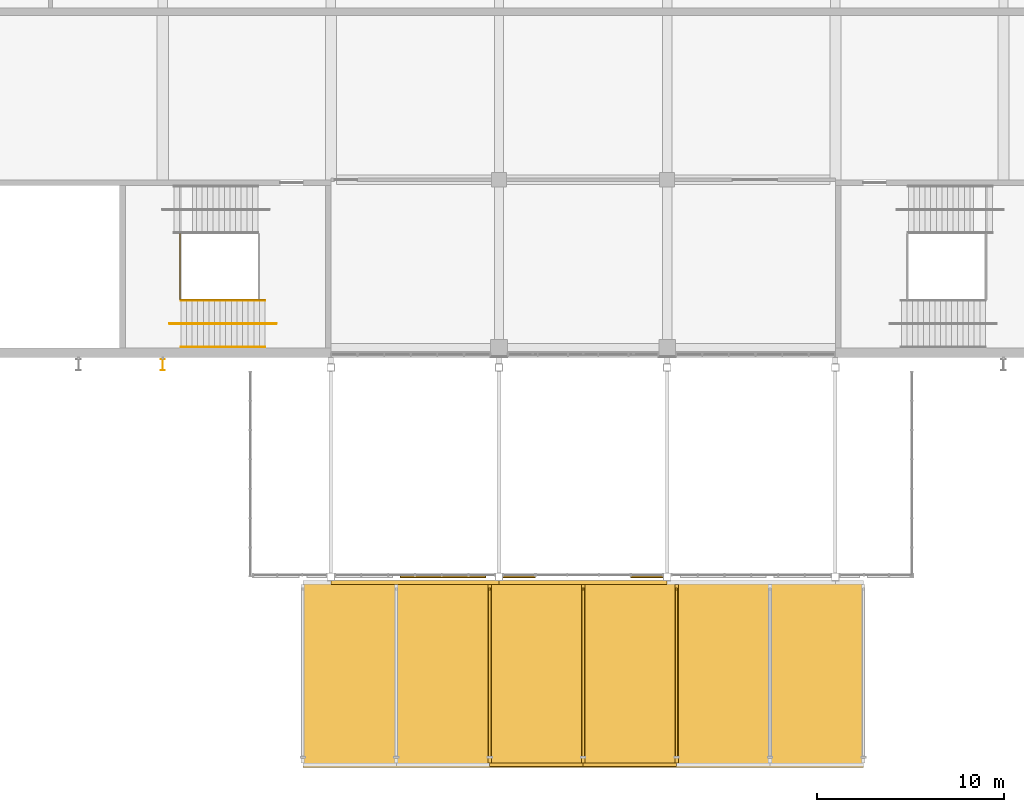
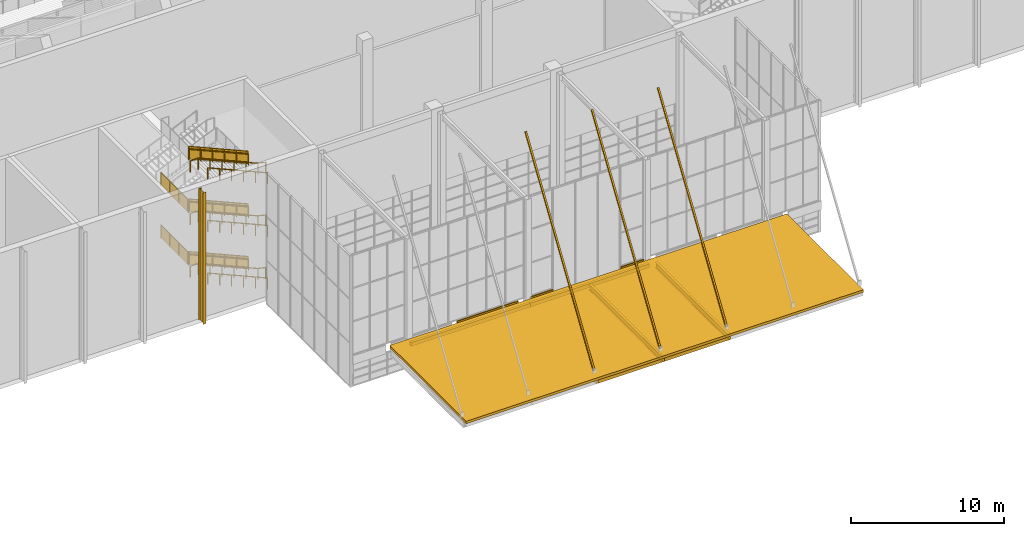
# One storey, part 141 of 182: 14 railings, 12 shading devices, 3 coverings.
"""IFC4 building model written with IfcOpenShell, lengths in metres."""

from ifc_helpers import new_model, si_unit, direction, frame, origin, origin_2d, place, context, subcontext, project, spatial, polyline, rectangle, hollow_rectangle, circle, i_section, outline, extrude, material, layer, layer_set, material_profile, profile_set, type_object, element, save


model = new_model("IFC4")

# Units and contexts
model_context = context("Model", 3, precision=1e-05, world=origin(), true_north=direction((0.0, 1.0)))
body_context = subcontext(model_context, "Body", "Model", "MODEL_VIEW")
ifc_project = project(units=[si_unit("LENGTHUNIT", "METRE"), si_unit("AREAUNIT", "SQUARE_METRE"), si_unit("VOLUMEUNIT", "CUBIC_METRE"), si_unit("PLANEANGLEUNIT", "RADIAN"), si_unit("MASSUNIT", "GRAM", prefix="KILO")], contexts=[model_context])

# Site, building, storey
site_placement = place(None, origin())
site = spatial("IfcSite", under=ifc_project, at=site_placement, CompositionType="ELEMENT")
building_placement = place(site_placement, origin())
building = spatial("IfcBuilding", under=site, at=building_placement, Name="Silverbay Arena", CompositionType="ELEMENT")
storey_placement = place(building_placement, frame((0.0, 0.0, 11.5)))
storey = spatial("IfcBuildingStorey", under=building, at=storey_placement, Name="L02", CompositionType="ELEMENT", Elevation=11.5)

# Coverings
ifc_material_1 = material(Name="Aluminium composite cladding", Category="aluminium")
ifc_layer = layer(ifc_material_1, 0.10009765625)
ifc_layer_set = layer_set([ifc_layer], Name="Aluminium composite cladding")
covering_type = type_object("IfcCoveringType", Name="Canopy band cladding 100", PredefinedType="CLADDING", material=ifc_layer_set)
covering_1_placement = place(storey_placement, frame((0.0, 0.0, 1.800048828125)))
element("IfcCovering", 1, at=covering_1_placement, inside=storey, type_object=covering_type, Name="Canopy band cladding", PredefinedType="CLADDING", context=body_context, shape_type="SweptSolid", body=[
    extrude(outline(polyline([(120.699951171875, 5.699951171875), (125.300048828125, 5.699951171875), (125.300048828125, 5.800048828125), (120.699951171875, 5.800048828125), (120.699951171875, 5.699951171875)])), origin(), (0.0, 0.0, 1.0), 0.699951171875),
])
covering_2_placement = place(storey_placement, frame((0.0, 0.0, 1.800048828125)))
element("IfcCovering", 2, at=covering_2_placement, inside=storey, type_object=covering_type, Name="Canopy band cladding", PredefinedType="CLADDING", context=body_context, shape_type="SweptSolid", body=[
    extrude(outline(polyline([(126.199951171875, 5.699951171875), (127.949951171875, 5.699951171875), (127.949951171875, 5.800048828125), (126.199951171875, 5.800048828125), (126.199951171875, 5.699951171875)])), origin(), (0.0, 0.0, 1.0), 0.699951171875),
])
covering_3_placement = place(storey_placement, frame((0.0, 0.0, 1.800048828125)))
element("IfcCovering", 3, at=covering_3_placement, inside=storey, type_object=covering_type, Name="Canopy band cladding", PredefinedType="CLADDING", context=body_context, shape_type="SweptSolid", body=[
    extrude(outline(polyline([(133.050048828125, 5.699951171875), (134.800048828125, 5.699951171875), (134.800048828125, 5.800048828125), (133.050048828125, 5.800048828125), (133.050048828125, 5.699951171875)])), origin(), (0.0, 0.0, 1.0), 0.699951171875),
])

# Shading devices
ifc_material_2 = material(Name="Steel S355", Category="steel")
ifc_material_profile_1 = material_profile(ifc_material_2, i_section(OverallWidth=0.18994140625, OverallDepth=0.453369140625, WebThickness=0.008544921875, FlangeThickness=0.0126953125, at=origin_2d()), Name="UB 457x191x67")
ifc_profile_set_1 = profile_set([ifc_material_profile_1], Name="Steel S355")
shading_device_type_1 = type_object("IfcShadingDeviceType", Name="Canopy beam UB 457x191x67", PredefinedType="USERDEFINED", material=ifc_profile_set_1)
for number, where, z_axis, x_axis, name in (
    (4, (125.5, 5.35009765625, 2.0732421875), (0.0, -1.0, 0.0), (1.0, 0.0, 0.0), "South entrance hall S1 canopy beam 3"),
    (5, (130.5, 5.35009765625, 2.0732421875), (0.0, -1.0, 0.0), (1.0, 0.0, 0.0), "South entrance hall S1 canopy beam 4"),
    (6, (135.5, 5.35009765625, 2.0732421875), (0.0, -1.0, 0.0), (1.0, 0.0, 0.0), "South entrance hall S1 canopy beam 5"),
):
    element("IfcShadingDevice", number, at=place(storey_placement, frame(where, z_axis=z_axis, x_axis=x_axis)), inside=storey, type_object=shading_device_type_1, Name=name, ObjectType="CANOPY FRAME", PredefinedType="USERDEFINED", context=body_context, shape_type="SweptSolid", body=[
        extrude(i_section(OverallWidth=0.18994140625, OverallDepth=0.453369140625, WebThickness=0.008544921875, FlangeThickness=0.0126953125, at=origin_2d()), origin(), (0.0, 0.0, 1.0), 9.550048828125),
    ])
ifc_material_3 = material(Name="Steel S355", Category="steel")
ifc_material_profile_2 = material_profile(ifc_material_3, hollow_rectangle(XDim=0.199951171875, YDim=0.300048828125, WallThickness=0.008056640625, at=origin_2d()), Name="RHS 300x200x8")
ifc_profile_set_2 = profile_set([ifc_material_profile_2], Name="Steel S355")
shading_device_type_2 = type_object("IfcShadingDeviceType", Name="Canopy edge beam RHS 300x200x8", PredefinedType="USERDEFINED", material=ifc_profile_set_2)
for number, where, z_axis, x_axis, name in (
    (7, (125.5, -4.300048828125, 2.14990234375), (1.0, 0.0, 0.0), (0.0, 1.0, 0.0), "South entrance hall S1 canopy edge beam 3"),
    (8, (130.5, -4.300048828125, 2.14990234375), (1.0, 0.0, 0.0), (0.0, 1.0, 0.0), "South entrance hall S1 canopy edge beam 4"),
):
    element("IfcShadingDevice", number, at=place(storey_placement, frame(where, z_axis=z_axis, x_axis=x_axis)), inside=storey, type_object=shading_device_type_2, Name=name, ObjectType="CANOPY FRAME", PredefinedType="USERDEFINED", context=body_context, shape_type="SweptSolid", body=[
        extrude(hollow_rectangle(XDim=0.199951171875, YDim=0.300048828125, WallThickness=0.008056640625, at=origin_2d()), origin(), (0.0, 0.0, 1.0), 5.0),
    ])
ifc_material_4 = material(Name="Steel S355", Category="steel")
shading_device_type_3 = type_object("IfcShadingDeviceType", Name="Canopy plate 200", PredefinedType="AWNING", material=ifc_material_4)
shading_device_1_placement = place(storey_placement, frame((130.5, 0.550048828125, 2.2998046875), z_axis=(0.0, 0.0, 1.0), x_axis=(1.0, 0.0, 0.0)))
element("IfcShadingDevice", 9, at=shading_device_1_placement, inside=storey, type_object=shading_device_type_3, Name="South entrance hall S1 canopy", PredefinedType="AWNING", context=body_context, shape_type="SweptSolid", body=[
    extrude(rectangle(XDim=30.0, YDim=10.0, at=origin_2d()), origin(), (0.0, 0.0, 1.0), 0.199951171875),
])
ifc_material_5 = material(Name="Steel S355", Category="steel")
ifc_material_profile_3 = material_profile(ifc_material_5, hollow_rectangle(XDim=0.199951171875, YDim=0.300048828125, WallThickness=0.008056640625, at=origin_2d()), Name="RHS 300x200x8")
ifc_profile_set_3 = profile_set([ifc_material_profile_3], Name="Steel S355")
shading_device_type_4 = type_object("IfcShadingDeviceType", Name="Canopy rail RHS 300x200x8", PredefinedType="USERDEFINED", material=ifc_profile_set_3)
for number, where, z_axis, x_axis, name in (
    (10, (117.0, 5.449951171875, 2.14990234375), (1.0, 0.0, 0.0), (0.0, 1.0, 0.0), "South entrance hall S1 canopy rail 2"),
    (11, (126.0, 5.449951171875, 2.14990234375), (1.0, 0.0, 0.0), (0.0, 1.0, 0.0), "South entrance hall S1 canopy rail 3"),
):
    element("IfcShadingDevice", number, at=place(storey_placement, frame(where, z_axis=z_axis, x_axis=x_axis)), inside=storey, type_object=shading_device_type_4, Name=name, ObjectType="CANOPY FRAME", PredefinedType="USERDEFINED", context=body_context, shape_type="SweptSolid", body=[
        extrude(hollow_rectangle(XDim=0.199951171875, YDim=0.300048828125, WallThickness=0.008056640625, at=origin_2d()), origin(), (0.0, 0.0, 1.0), 9.0),
    ])
ifc_material_6 = material(Name="Steel S355", Category="steel")
ifc_material_profile_4 = material_profile(ifc_material_6, hollow_rectangle(XDim=0.1201171875, YDim=0.1201171875, WallThickness=0.00634765625, at=origin_2d()), Name="SHS 120x120x6.3")
ifc_profile_set_4 = profile_set([ifc_material_profile_4], Name="Steel S355")
shading_device_type_5 = type_object("IfcShadingDeviceType", Name="Canopy tie SHS 120x120x6.3", PredefinedType="USERDEFINED", material=ifc_profile_set_4)
for number, where, z_axis, x_axis, name in (
    (12, (125.5, 5.10009765625, 16.35009765625), (0.0, -0.54832609761, -0.83626460566), (1.0, 0.0, 0.0), "South entrance hall S1 canopy tie 3"),
    (13, (130.5, 5.10009765625, 16.35009765625), (0.0, -0.54832609761, -0.83626460566), (1.0, 0.0, 0.0), "South entrance hall S1 canopy tie 4"),
    (14, (135.5, 5.10009765625, 16.35009765625), (0.0, -0.54832609761, -0.83626460566), (1.0, 0.0, 0.0), "South entrance hall S1 canopy tie 5"),
):
    element("IfcShadingDevice", number, at=place(storey_placement, frame(where, z_axis=z_axis, x_axis=x_axis)), inside=storey, type_object=shading_device_type_5, Name=name, ObjectType="CANOPY FRAME", PredefinedType="USERDEFINED", context=body_context, shape_type="SweptSolid", body=[
        extrude(hollow_rectangle(XDim=0.1201171875, YDim=0.1201171875, WallThickness=0.00634765625, at=origin_2d()), origin(), (0.0, 0.0, 1.0), 16.32275390625),
    ])

# Railings
ifc_material_7 = material(Name="Stainless steel", Category="steel")
railing_type_1 = type_object("IfcRailingType", Name="Stair guard 1100", PredefinedType="GUARDRAIL", material=ifc_material_7)
railing_1_placement = place(storey_placement, frame((113.47412109375, 20.574951171875, 0.13134765625)))
element("IfcRailing", 15, at=railing_1_placement, inside=storey, type_object=railing_type_1, Name="Stair ST-S2 L02 to L03 flight 1 guard left", PredefinedType="GUARDRAIL", context=body_context, shape_type="SweptSolid", body=[
    extrude(circle(Radius=0.02392578125, at=origin_2d()), frame((0.0, 0.0, 1.076171875), z_axis=(-0.916157334902, 0.0, 0.40081883402), x_axis=(0.0, -1.0, 0.0)), (0.0, 0.0, 1.0), 4.911865234375),
    extrude(outline(polyline([(-0.008056640625, 0.04638671875), (0.907958984375, 0.447265625), (0.907958984375, 1.4501953125), (-0.008056640625, 1.049560546875), (-0.008056640625, 0.04638671875)])), frame((0.0, -0.0029296875, 0.0), z_axis=(0.0, 1.0, 0.0), x_axis=(-1.0, 0.0, 0.0)), (0.0, 0.0, 1.0), 0.006103515625),
    extrude(outline(polyline([(-0.008056640625, 0.440185546875), (0.907958984375, 0.841064453125), (0.907958984375, 1.843994140625), (-0.008056640625, 1.443359375), (-0.008056640625, 0.440185546875)])), frame((-0.89990234375, -0.0029296875, 0.0), z_axis=(0.0, 1.0, 0.0), x_axis=(-1.0, 0.0, 0.0)), (0.0, 0.0, 1.0), 0.006103515625),
    extrude(outline(polyline([(-0.008056640625, 0.833984375), (0.907958984375, 1.23486328125), (0.907958984375, 2.23779296875), (-0.008056640625, 1.8369140625), (-0.008056640625, 0.833984375)])), frame((-1.800048828125, -0.0029296875, 0.0), z_axis=(0.0, 1.0, 0.0), x_axis=(-1.0, 0.0, 0.0)), (0.0, 0.0, 1.0), 0.006103515625),
    extrude(outline(polyline([(-0.008056640625, 1.227783203125), (0.907958984375, 1.62841796875), (0.907958984375, 2.631591796875), (-0.008056640625, 2.230712890625), (-0.008056640625, 1.227783203125)])), frame((-2.699951171875, -0.0029296875, 0.0), z_axis=(0.0, 1.0, 0.0), x_axis=(-1.0, 0.0, 0.0)), (0.0, 0.0, 1.0), 0.006103515625),
    extrude(outline(polyline([(-0.008056640625, 1.62158203125), (0.907958984375, 2.022216796875), (0.907958984375, 3.025146484375), (-0.008056640625, 2.62451171875), (-0.008056640625, 1.62158203125)])), frame((-3.60009765625, -0.0029296875, 0.0), z_axis=(0.0, 1.0, 0.0), x_axis=(-1.0, 0.0, 0.0)), (0.0, 0.0, 1.0), 0.006103515625),
    extrude(circle(Radius=0.02099609375, at=origin_2d()), origin(), (0.0, 0.0, 1.0), 1.052001953125),
    extrude(circle(Radius=0.02099609375, at=origin_2d()), frame((-0.89990234375, 0.0, 0.393798828125)), (0.0, 0.0, 1.0), 1.052001953125),
    extrude(circle(Radius=0.02099609375, at=origin_2d()), frame((-1.800048828125, 0.0, 0.78759765625)), (0.0, 0.0, 1.0), 1.052001953125),
    extrude(circle(Radius=0.02099609375, at=origin_2d()), frame((-2.699951171875, 0.0, 1.18115234375)), (0.0, 0.0, 1.0), 1.052001953125),
    extrude(circle(Radius=0.02099609375, at=origin_2d()), frame((-3.60009765625, 0.0, 1.574951171875)), (0.0, 0.0, 1.0), 1.052001953125),
    extrude(circle(Radius=0.02099609375, at=origin_2d()), frame((-4.5, 0.0, 1.96875)), (0.0, 0.0, 1.0), 1.052001953125),
])
railing_2_placement = place(storey_placement, frame((113.47412109375, 20.574951171875, 4.331298828125)))
element("IfcRailing", 16, at=railing_2_placement, inside=storey, type_object=railing_type_1, Name="Stair ST-S2 L02 to L03 flight 3 guard left", PredefinedType="GUARDRAIL", context=body_context, shape_type="SweptSolid", body=[
    extrude(circle(Radius=0.02392578125, at=origin_2d()), frame((0.0, 0.0, 1.076171875), z_axis=(-0.916157334902, 0.0, 0.40081883402), x_axis=(0.0, -1.0, 0.0)), (0.0, 0.0, 1.0), 4.911865234375),
    extrude(outline(polyline([(-0.008056640625, 0.04638671875), (0.907958984375, 0.447265625), (0.907958984375, 1.4501953125), (-0.008056640625, 1.049560546875), (-0.008056640625, 0.04638671875)])), frame((0.0, -0.0029296875, 0.0), z_axis=(0.0, 1.0, 0.0), x_axis=(-1.0, 0.0, 0.0)), (0.0, 0.0, 1.0), 0.006103515625),
    extrude(outline(polyline([(-0.008056640625, 0.440185546875), (0.907958984375, 0.841064453125), (0.907958984375, 1.843994140625), (-0.008056640625, 1.443359375), (-0.008056640625, 0.440185546875)])), frame((-0.89990234375, -0.0029296875, 0.0), z_axis=(0.0, 1.0, 0.0), x_axis=(-1.0, 0.0, 0.0)), (0.0, 0.0, 1.0), 0.006103515625),
    extrude(outline(polyline([(-0.008056640625, 0.833984375), (0.907958984375, 1.23486328125), (0.907958984375, 2.23779296875), (-0.008056640625, 1.8369140625), (-0.008056640625, 0.833984375)])), frame((-1.800048828125, -0.0029296875, 0.0), z_axis=(0.0, 1.0, 0.0), x_axis=(-1.0, 0.0, 0.0)), (0.0, 0.0, 1.0), 0.006103515625),
    extrude(outline(polyline([(-0.008056640625, 1.227783203125), (0.907958984375, 1.62841796875), (0.907958984375, 2.631591796875), (-0.008056640625, 2.230712890625), (-0.008056640625, 1.227783203125)])), frame((-2.699951171875, -0.0029296875, 0.0), z_axis=(0.0, 1.0, 0.0), x_axis=(-1.0, 0.0, 0.0)), (0.0, 0.0, 1.0), 0.006103515625),
    extrude(outline(polyline([(-0.008056640625, 1.62158203125), (0.907958984375, 2.022216796875), (0.907958984375, 3.025146484375), (-0.008056640625, 2.62451171875), (-0.008056640625, 1.62158203125)])), frame((-3.60009765625, -0.0029296875, 0.0), z_axis=(0.0, 1.0, 0.0), x_axis=(-1.0, 0.0, 0.0)), (0.0, 0.0, 1.0), 0.006103515625),
    extrude(circle(Radius=0.02099609375, at=origin_2d()), origin(), (0.0, 0.0, 1.0), 1.052001953125),
    extrude(circle(Radius=0.02099609375, at=origin_2d()), frame((-0.89990234375, 0.0, 0.393798828125)), (0.0, 0.0, 1.0), 1.052001953125),
    extrude(circle(Radius=0.02099609375, at=origin_2d()), frame((-1.800048828125, 0.0, 0.78759765625)), (0.0, 0.0, 1.0), 1.052001953125),
    extrude(circle(Radius=0.02099609375, at=origin_2d()), frame((-2.699951171875, 0.0, 1.18115234375)), (0.0, 0.0, 1.0), 1.052001953125),
    extrude(circle(Radius=0.02099609375, at=origin_2d()), frame((-3.60009765625, 0.0, 1.574951171875)), (0.0, 0.0, 1.0), 1.052001953125),
    extrude(circle(Radius=0.02099609375, at=origin_2d()), frame((-4.5, 0.0, 1.96875)), (0.0, 0.0, 1.0), 1.052001953125),
])
railing_3_placement = place(storey_placement, frame((113.47412109375, 20.574951171875, 8.53125)))
element("IfcRailing", 17, at=railing_3_placement, inside=storey, type_object=railing_type_1, Name="Stair ST-S2 L02 to L03 flight 5 guard left", PredefinedType="GUARDRAIL", context=body_context, shape_type="SweptSolid", body=[
    extrude(circle(Radius=0.02392578125, at=origin_2d()), frame((0.0, 0.0, 1.076171875), z_axis=(-0.916157334902, 0.0, 0.40081883402), x_axis=(0.0, -1.0, 0.0)), (0.0, 0.0, 1.0), 4.911865234375),
    extrude(outline(polyline([(-0.008056640625, 0.04638671875), (0.907958984375, 0.447265625), (0.907958984375, 1.4501953125), (-0.008056640625, 1.049560546875), (-0.008056640625, 0.04638671875)])), frame((0.0, -0.0029296875, 0.0), z_axis=(0.0, 1.0, 0.0), x_axis=(-1.0, 0.0, 0.0)), (0.0, 0.0, 1.0), 0.006103515625),
    extrude(outline(polyline([(-0.008056640625, 0.440185546875), (0.907958984375, 0.841064453125), (0.907958984375, 1.843994140625), (-0.008056640625, 1.443359375), (-0.008056640625, 0.440185546875)])), frame((-0.89990234375, -0.0029296875, 0.0), z_axis=(0.0, 1.0, 0.0), x_axis=(-1.0, 0.0, 0.0)), (0.0, 0.0, 1.0), 0.006103515625),
    extrude(outline(polyline([(-0.008056640625, 0.833984375), (0.907958984375, 1.23486328125), (0.907958984375, 2.23779296875), (-0.008056640625, 1.8369140625), (-0.008056640625, 0.833984375)])), frame((-1.800048828125, -0.0029296875, 0.0), z_axis=(0.0, 1.0, 0.0), x_axis=(-1.0, 0.0, 0.0)), (0.0, 0.0, 1.0), 0.006103515625),
    extrude(outline(polyline([(-0.008056640625, 1.227783203125), (0.907958984375, 1.62841796875), (0.907958984375, 2.631591796875), (-0.008056640625, 2.230712890625), (-0.008056640625, 1.227783203125)])), frame((-2.699951171875, -0.0029296875, 0.0), z_axis=(0.0, 1.0, 0.0), x_axis=(-1.0, 0.0, 0.0)), (0.0, 0.0, 1.0), 0.006103515625),
    extrude(outline(polyline([(-0.008056640625, 1.62158203125), (0.907958984375, 2.022216796875), (0.907958984375, 3.025146484375), (-0.008056640625, 2.62451171875), (-0.008056640625, 1.62158203125)])), frame((-3.60009765625, -0.0029296875, 0.0), z_axis=(0.0, 1.0, 0.0), x_axis=(-1.0, 0.0, 0.0)), (0.0, 0.0, 1.0), 0.006103515625),
    extrude(circle(Radius=0.02099609375, at=origin_2d()), origin(), (0.0, 0.0, 1.0), 1.052001953125),
    extrude(circle(Radius=0.02099609375, at=origin_2d()), frame((-0.89990234375, 0.0, 0.393798828125)), (0.0, 0.0, 1.0), 1.052001953125),
    extrude(circle(Radius=0.02099609375, at=origin_2d()), frame((-1.800048828125, 0.0, 0.78759765625)), (0.0, 0.0, 1.0), 1.052001953125),
    extrude(circle(Radius=0.02099609375, at=origin_2d()), frame((-2.699951171875, 0.0, 1.18115234375)), (0.0, 0.0, 1.0), 1.052001953125),
    extrude(circle(Radius=0.02099609375, at=origin_2d()), frame((-3.60009765625, 0.0, 1.574951171875)), (0.0, 0.0, 1.0), 1.052001953125),
    extrude(circle(Radius=0.02099609375, at=origin_2d()), frame((-4.5, 0.0, 1.96875)), (0.0, 0.0, 1.0), 1.052001953125),
])
for number, where, name in (
    (18, (108.92431640625, 24.10009765625, 2.10009765625), "Stair ST-S2 L02 to L03 landing 1 guard"),
    (19, (108.92431640625, 24.10009765625, 6.300048828125), "Stair ST-S2 L02 to L03 landing 3 guard"),
):
    element("IfcRailing", number, at=place(storey_placement, frame(where)), inside=storey, type_object=railing_type_1, Name=name, PredefinedType="GUARDRAIL", context=body_context, shape_type="SweptSolid", body=[
        extrude(circle(Radius=0.02392578125, at=origin_2d()), frame((0.0, 0.0, 1.076171875), z_axis=(0.0, -1.0, 0.0), x_axis=(1.0, 0.0, 0.0)), (0.0, 0.0, 1.0), 3.5),
        extrude(outline(polyline([(-0.008056640625, 0.050048828125), (1.174560546875, 0.050048828125), (1.174560546875, 1.052978515625), (-0.008056640625, 1.052978515625), (-0.008056640625, 0.050048828125)])), frame((0.0029296875, 0.0, 0.0), z_axis=(-1.0, 0.0, 0.0), x_axis=(0.0, -1.0, 0.0)), (0.0, 0.0, 1.0), 0.006103515625),
        extrude(outline(polyline([(-0.008056640625, 0.050048828125), (1.174560546875, 0.050048828125), (1.174560546875, 1.052978515625), (-0.008056640625, 1.052978515625), (-0.008056640625, 0.050048828125)])), frame((0.0029296875, -1.166748046875, 0.0), z_axis=(-1.0, 0.0, 0.0), x_axis=(0.0, -1.0, 0.0)), (0.0, 0.0, 1.0), 0.006103515625),
        extrude(outline(polyline([(-0.008056640625, 0.050048828125), (1.174560546875, 0.050048828125), (1.174560546875, 1.052978515625), (-0.008056640625, 1.052978515625), (-0.008056640625, 0.050048828125)])), frame((0.0029296875, -2.333251953125, 0.0), z_axis=(-1.0, 0.0, 0.0), x_axis=(0.0, -1.0, 0.0)), (0.0, 0.0, 1.0), 0.006103515625),
        extrude(circle(Radius=0.02099609375, at=origin_2d()), origin(), (0.0, 0.0, 1.0), 1.052001953125),
        extrude(circle(Radius=0.02099609375, at=origin_2d()), frame((0.0, -1.166748046875, 0.0)), (0.0, 0.0, 1.0), 1.052001953125),
        extrude(circle(Radius=0.02099609375, at=origin_2d()), frame((0.0, -2.333251953125, 0.0)), (0.0, 0.0, 1.0), 1.052001953125),
        extrude(circle(Radius=0.02099609375, at=origin_2d()), frame((0.0, -3.5, 0.0)), (0.0, 0.0, 1.0), 1.052001953125),
    ])
ifc_material_8 = material(Name="Stainless steel", Category="steel")
railing_type_2 = type_object("IfcRailingType", Name="Stair handrail 900", PredefinedType="HANDRAIL", material=ifc_material_8)
for number, where, name in (
    (20, (113.47412109375, 20.535888671875, 0.13134765625), "Stair ST-S2 L02 to L03 flight 1 handrail left"),
    (21, (113.47412109375, 18.050048828125, 0.13134765625), "Stair ST-S2 L02 to L03 flight 1 handrail right"),
):
    element("IfcRailing", number, at=place(storey_placement, frame(where)), inside=storey, type_object=railing_type_2, Name=name, PredefinedType="HANDRAIL", context=body_context, shape_type="SweptSolid", body=[
        extrude(circle(Radius=0.02392578125, at=origin_2d()), frame((0.0, 0.0, 0.8759765625), z_axis=(-0.916157334902, 0.0, 0.40081883402), x_axis=(0.0, -1.0, 0.0)), (0.0, 0.0, 1.0), 4.911865234375),
        extrude(circle(Radius=0.02099609375, at=origin_2d()), origin(), (0.0, 0.0, 1.0), 0.851806640625),
        extrude(circle(Radius=0.02099609375, at=origin_2d()), frame((-0.89990234375, 0.0, 0.393798828125)), (0.0, 0.0, 1.0), 0.851806640625),
        extrude(circle(Radius=0.02099609375, at=origin_2d()), frame((-1.800048828125, 0.0, 0.78759765625)), (0.0, 0.0, 1.0), 0.851806640625),
        extrude(circle(Radius=0.02099609375, at=origin_2d()), frame((-2.699951171875, 0.0, 1.18115234375)), (0.0, 0.0, 1.0), 0.851806640625),
        extrude(circle(Radius=0.02099609375, at=origin_2d()), frame((-3.60009765625, 0.0, 1.574951171875)), (0.0, 0.0, 1.0), 0.851806640625),
        extrude(circle(Radius=0.02099609375, at=origin_2d()), frame((-4.5, 0.0, 1.96875)), (0.0, 0.0, 1.0), 0.851806640625),
    ])
railing_4_placement = place(storey_placement, frame((114.07421875, 19.300048828125, 0.0)))
element("IfcRailing", 22, at=railing_4_placement, inside=storey, type_object=railing_type_2, Name="Stair ST-S2 L02 to L03 flight 1 central handrail", PredefinedType="HANDRAIL", context=body_context, shape_type="SweptSolid", body=[
    extrude(circle(Radius=0.02392578125, at=origin_2d()), frame((0.0, 0.0, 0.8759765625), z_axis=(-0.976874083041, 0.0, 0.213815401414), x_axis=(0.0, -1.0, 0.0)), (0.0, 0.0, 1.0), 0.6142578125),
    extrude(circle(Radius=0.02392578125, at=origin_2d()), frame((-0.60009765625, 0.0, 1.00732421875), z_axis=(-0.916157334902, 0.0, 0.40081883402), x_axis=(0.0, -1.0, 0.0)), (0.0, 0.0, 1.0), 4.911865234375),
    extrude(circle(Radius=0.02392578125, at=origin_2d()), frame((-5.10009765625, 0.0, 2.97607421875), z_axis=(-1.0, 0.0, 0.0), x_axis=(0.0, -1.0, 0.0)), (0.0, 0.0, 1.0), 0.599853515625),
    extrude(circle(Radius=0.02099609375, at=origin_2d()), origin(), (0.0, 0.0, 1.0), 0.851806640625),
    extrude(circle(Radius=0.02099609375, at=origin_2d()), frame((-0.60009765625, 0.0, 0.13134765625)), (0.0, 0.0, 1.0), 0.851806640625),
    extrude(circle(Radius=0.02099609375, at=origin_2d()), frame((-1.5, 0.0, 0.525146484375)), (0.0, 0.0, 1.0), 0.851806640625),
    extrude(circle(Radius=0.02099609375, at=origin_2d()), frame((-2.400146484375, 0.0, 0.9189453125)), (0.0, 0.0, 1.0), 0.851806640625),
    extrude(circle(Radius=0.02099609375, at=origin_2d()), frame((-3.300048828125, 0.0, 1.3125)), (0.0, 0.0, 1.0), 0.851806640625),
    extrude(circle(Radius=0.02099609375, at=origin_2d()), frame((-4.2001953125, 0.0, 1.706298828125)), (0.0, 0.0, 1.0), 0.851806640625),
    extrude(circle(Radius=0.02099609375, at=origin_2d()), frame((-5.10009765625, 0.0, 2.10009765625)), (0.0, 0.0, 1.0), 0.851806640625),
    extrude(circle(Radius=0.02099609375, at=origin_2d()), frame((-5.699951171875, 0.0, 2.10009765625)), (0.0, 0.0, 1.0), 0.851806640625),
])
for number, where, name in (
    (23, (113.47412109375, 20.535888671875, 4.331298828125), "Stair ST-S2 L02 to L03 flight 3 handrail left"),
    (24, (113.47412109375, 18.050048828125, 4.331298828125), "Stair ST-S2 L02 to L03 flight 3 handrail right"),
):
    element("IfcRailing", number, at=place(storey_placement, frame(where)), inside=storey, type_object=railing_type_2, Name=name, PredefinedType="HANDRAIL", context=body_context, shape_type="SweptSolid", body=[
        extrude(circle(Radius=0.02392578125, at=origin_2d()), frame((0.0, 0.0, 0.8759765625), z_axis=(-0.916157334902, 0.0, 0.40081883402), x_axis=(0.0, -1.0, 0.0)), (0.0, 0.0, 1.0), 4.911865234375),
        extrude(circle(Radius=0.02099609375, at=origin_2d()), origin(), (0.0, 0.0, 1.0), 0.851806640625),
        extrude(circle(Radius=0.02099609375, at=origin_2d()), frame((-0.89990234375, 0.0, 0.393798828125)), (0.0, 0.0, 1.0), 0.851806640625),
        extrude(circle(Radius=0.02099609375, at=origin_2d()), frame((-1.800048828125, 0.0, 0.78759765625)), (0.0, 0.0, 1.0), 0.851806640625),
        extrude(circle(Radius=0.02099609375, at=origin_2d()), frame((-2.699951171875, 0.0, 1.18115234375)), (0.0, 0.0, 1.0), 0.851806640625),
        extrude(circle(Radius=0.02099609375, at=origin_2d()), frame((-3.60009765625, 0.0, 1.574951171875)), (0.0, 0.0, 1.0), 0.851806640625),
        extrude(circle(Radius=0.02099609375, at=origin_2d()), frame((-4.5, 0.0, 1.96875)), (0.0, 0.0, 1.0), 0.851806640625),
    ])
railing_5_placement = place(storey_placement, frame((114.07421875, 19.300048828125, 4.199951171875)))
element("IfcRailing", 25, at=railing_5_placement, inside=storey, type_object=railing_type_2, Name="Stair ST-S2 L02 to L03 flight 3 central handrail", PredefinedType="HANDRAIL", context=body_context, shape_type="SweptSolid", body=[
    extrude(circle(Radius=0.02392578125, at=origin_2d()), frame((0.0, 0.0, 0.8759765625), z_axis=(-0.976874083041, 0.0, 0.213815401414), x_axis=(0.0, -1.0, 0.0)), (0.0, 0.0, 1.0), 0.6142578125),
    extrude(circle(Radius=0.02392578125, at=origin_2d()), frame((-0.60009765625, 0.0, 1.00732421875), z_axis=(-0.916157334902, 0.0, 0.40081883402), x_axis=(0.0, -1.0, 0.0)), (0.0, 0.0, 1.0), 4.911865234375),
    extrude(circle(Radius=0.02392578125, at=origin_2d()), frame((-5.10009765625, 0.0, 2.97607421875), z_axis=(-1.0, 0.0, 0.0), x_axis=(0.0, -1.0, 0.0)), (0.0, 0.0, 1.0), 0.599853515625),
    extrude(circle(Radius=0.02099609375, at=origin_2d()), origin(), (0.0, 0.0, 1.0), 0.851806640625),
    extrude(circle(Radius=0.02099609375, at=origin_2d()), frame((-0.60009765625, 0.0, 0.13134765625)), (0.0, 0.0, 1.0), 0.851806640625),
    extrude(circle(Radius=0.02099609375, at=origin_2d()), frame((-1.5, 0.0, 0.525146484375)), (0.0, 0.0, 1.0), 0.851806640625),
    extrude(circle(Radius=0.02099609375, at=origin_2d()), frame((-2.400146484375, 0.0, 0.9189453125)), (0.0, 0.0, 1.0), 0.851806640625),
    extrude(circle(Radius=0.02099609375, at=origin_2d()), frame((-3.300048828125, 0.0, 1.3125)), (0.0, 0.0, 1.0), 0.851806640625),
    extrude(circle(Radius=0.02099609375, at=origin_2d()), frame((-4.2001953125, 0.0, 1.706298828125)), (0.0, 0.0, 1.0), 0.851806640625),
    extrude(circle(Radius=0.02099609375, at=origin_2d()), frame((-5.10009765625, 0.0, 2.10009765625)), (0.0, 0.0, 1.0), 0.851806640625),
    extrude(circle(Radius=0.02099609375, at=origin_2d()), frame((-5.699951171875, 0.0, 2.10009765625)), (0.0, 0.0, 1.0), 0.851806640625),
])
for number, where, name in (
    (26, (113.47412109375, 20.535888671875, 8.53125), "Stair ST-S2 L02 to L03 flight 5 handrail left"),
    (27, (113.47412109375, 18.050048828125, 8.53125), "Stair ST-S2 L02 to L03 flight 5 handrail right"),
):
    element("IfcRailing", number, at=place(storey_placement, frame(where)), inside=storey, type_object=railing_type_2, Name=name, PredefinedType="HANDRAIL", context=body_context, shape_type="SweptSolid", body=[
        extrude(circle(Radius=0.02392578125, at=origin_2d()), frame((0.0, 0.0, 0.8759765625), z_axis=(-0.916157334902, 0.0, 0.40081883402), x_axis=(0.0, -1.0, 0.0)), (0.0, 0.0, 1.0), 4.911865234375),
        extrude(circle(Radius=0.02099609375, at=origin_2d()), origin(), (0.0, 0.0, 1.0), 0.851806640625),
        extrude(circle(Radius=0.02099609375, at=origin_2d()), frame((-0.89990234375, 0.0, 0.393798828125)), (0.0, 0.0, 1.0), 0.851806640625),
        extrude(circle(Radius=0.02099609375, at=origin_2d()), frame((-1.800048828125, 0.0, 0.78759765625)), (0.0, 0.0, 1.0), 0.851806640625),
        extrude(circle(Radius=0.02099609375, at=origin_2d()), frame((-2.699951171875, 0.0, 1.18115234375)), (0.0, 0.0, 1.0), 0.851806640625),
        extrude(circle(Radius=0.02099609375, at=origin_2d()), frame((-3.60009765625, 0.0, 1.574951171875)), (0.0, 0.0, 1.0), 0.851806640625),
        extrude(circle(Radius=0.02099609375, at=origin_2d()), frame((-4.5, 0.0, 1.96875)), (0.0, 0.0, 1.0), 0.851806640625),
    ])
railing_6_placement = place(storey_placement, frame((114.07421875, 19.300048828125, 8.39990234375)))
element("IfcRailing", 28, at=railing_6_placement, inside=storey, type_object=railing_type_2, Name="Stair ST-S2 L02 to L03 flight 5 central handrail", PredefinedType="HANDRAIL", context=body_context, shape_type="SweptSolid", body=[
    extrude(circle(Radius=0.02392578125, at=origin_2d()), frame((0.0, 0.0, 0.8759765625), z_axis=(-0.976874083041, 0.0, 0.213815401414), x_axis=(0.0, -1.0, 0.0)), (0.0, 0.0, 1.0), 0.6142578125),
    extrude(circle(Radius=0.02392578125, at=origin_2d()), frame((-0.60009765625, 0.0, 1.00732421875), z_axis=(-0.916157334902, 0.0, 0.40081883402), x_axis=(0.0, -1.0, 0.0)), (0.0, 0.0, 1.0), 4.911865234375),
    extrude(circle(Radius=0.02392578125, at=origin_2d()), frame((-5.10009765625, 0.0, 2.97607421875), z_axis=(-1.0, 0.0, 0.0), x_axis=(0.0, -1.0, 0.0)), (0.0, 0.0, 1.0), 0.599853515625),
    extrude(circle(Radius=0.02099609375, at=origin_2d()), origin(), (0.0, 0.0, 1.0), 0.851806640625),
    extrude(circle(Radius=0.02099609375, at=origin_2d()), frame((-0.60009765625, 0.0, 0.13134765625)), (0.0, 0.0, 1.0), 0.851806640625),
    extrude(circle(Radius=0.02099609375, at=origin_2d()), frame((-1.5, 0.0, 0.525146484375)), (0.0, 0.0, 1.0), 0.851806640625),
    extrude(circle(Radius=0.02099609375, at=origin_2d()), frame((-2.400146484375, 0.0, 0.9189453125)), (0.0, 0.0, 1.0), 0.851806640625),
    extrude(circle(Radius=0.02099609375, at=origin_2d()), frame((-3.300048828125, 0.0, 1.3125)), (0.0, 0.0, 1.0), 0.851806640625),
    extrude(circle(Radius=0.02099609375, at=origin_2d()), frame((-4.2001953125, 0.0, 1.706298828125)), (0.0, 0.0, 1.0), 0.851806640625),
    extrude(circle(Radius=0.02099609375, at=origin_2d()), frame((-5.10009765625, 0.0, 2.10009765625)), (0.0, 0.0, 1.0), 0.851806640625),
    extrude(circle(Radius=0.02099609375, at=origin_2d()), frame((-5.699951171875, 0.0, 2.10009765625)), (0.0, 0.0, 1.0), 0.851806640625),
])

# Shading device
ifc_material_9 = material(Name="Steel S355", Category="steel")
ifc_material_profile_5 = material_profile(ifc_material_9, i_section(OverallWidth=0.2275390625, OverallDepth=0.6025390625, WebThickness=0.010498046875, FlangeThickness=0.014892578125, at=origin_2d()), Name="UB 610x229x101")
ifc_profile_set_5 = profile_set([ifc_material_profile_5], Name="Steel S355")
shading_device_type_6 = type_object("IfcShadingDeviceType", Name="Steel fin UB 610x229x101", PredefinedType="USERDEFINED", material=ifc_profile_set_5)
shading_device_2_placement = place(storey_placement, frame((108.0, 17.0986328125, 0.0), z_axis=(0.0, 0.0, 1.0), x_axis=(1.0, 0.0, 0.0)))
element("IfcShadingDevice", 29, at=shading_device_2_placement, inside=storey, type_object=shading_device_type_6, Name="Steel fin S L02 12", ObjectType="FIN", PredefinedType="USERDEFINED", context=body_context, shape_type="SweptSolid", body=[
    extrude(i_section(OverallWidth=0.2275390625, OverallDepth=0.6025390625, WebThickness=0.010498046875, FlangeThickness=0.014892578125, at=origin_2d()), origin(), (0.0, 0.0, 1.0), 10.5),
])

save(model, "model.ifc")
